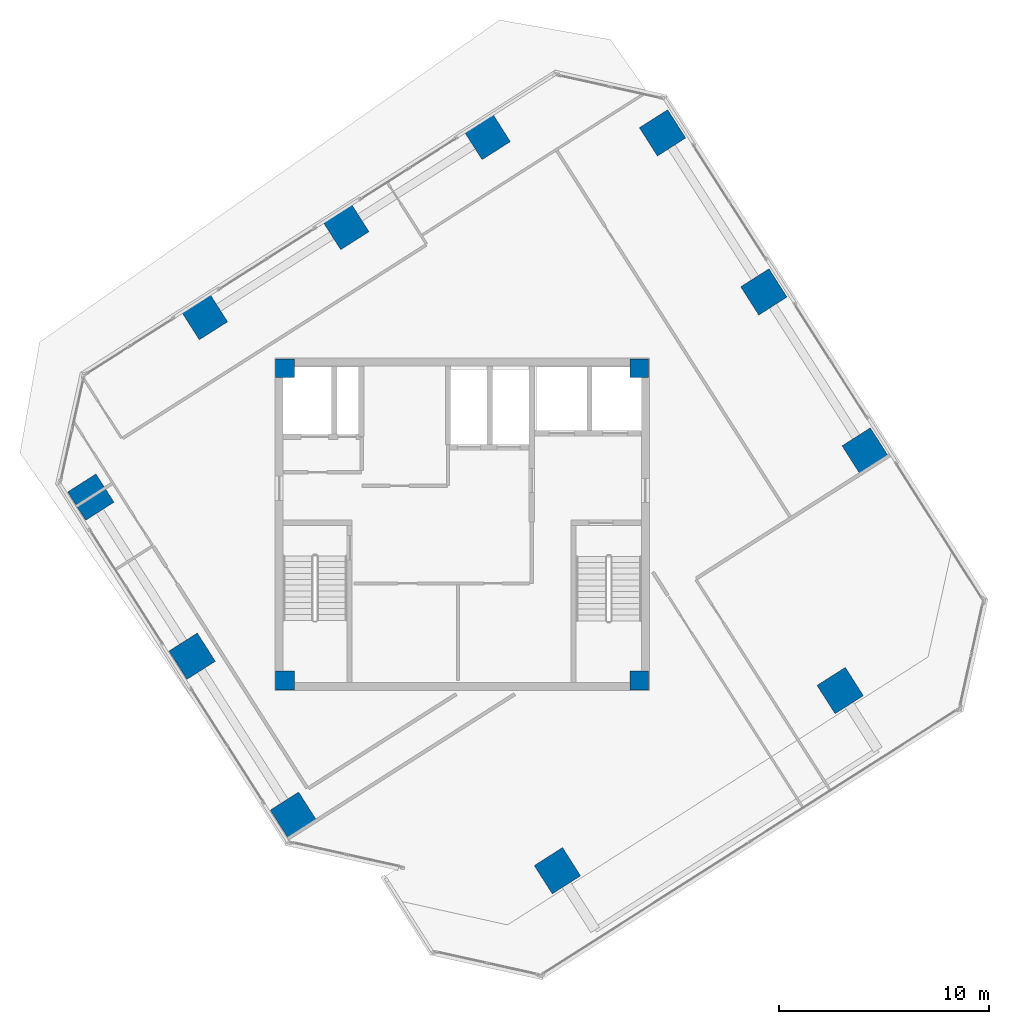
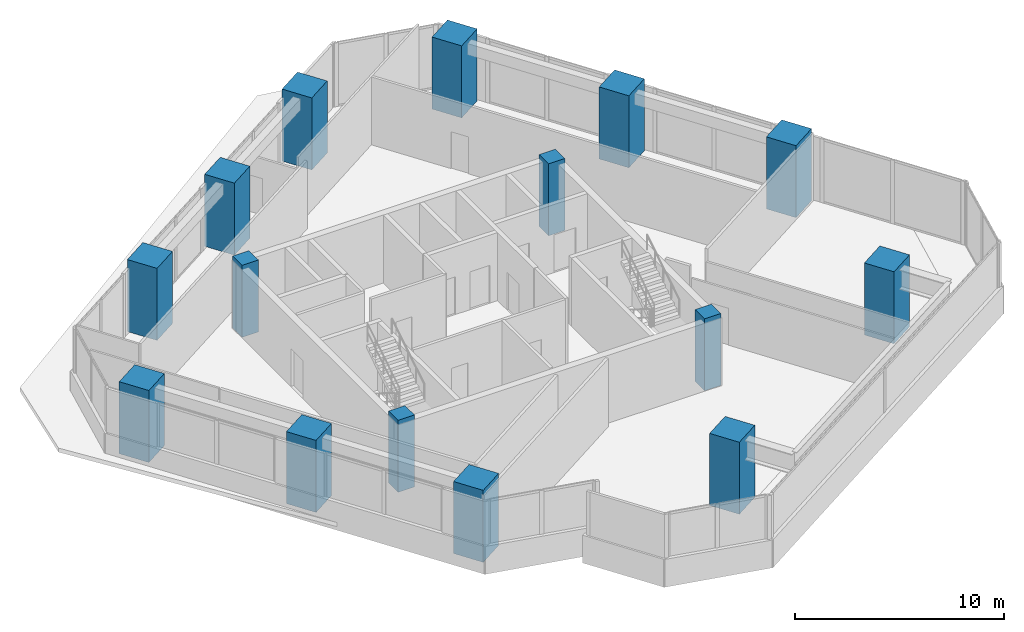
# One storey, part 1 of 15: 15 columns.
"""IFC4 building model written with IfcOpenShell, lengths in metres."""

from ifc_helpers import new_model, si_unit, direction, frame, origin, origin_2d, place, context, subcontext, project, spatial, rectangle, extrude, source, transform, mapped, material, material_profile, profile_set, type_object, element, save


model = new_model("IFC4")

# Units and contexts
model_context = context("Model", 3, precision=1e-05, world=origin(), true_north=direction((0.0, 1.0)))
body_context = subcontext(model_context, "Body", "Model", "MODEL_VIEW")
ifc_project = project(units=[si_unit("LENGTHUNIT", "METRE"), si_unit("AREAUNIT", "SQUARE_METRE"), si_unit("VOLUMEUNIT", "CUBIC_METRE"), si_unit("PLANEANGLEUNIT", "RADIAN"), si_unit("MASSUNIT", "GRAM", prefix="KILO")], contexts=[model_context])

# Site, building, storey
site_placement = place(None, origin())
site = spatial("IfcSite", under=ifc_project, at=site_placement, CompositionType="ELEMENT")
building_placement = place(site_placement, origin())
building = spatial("IfcBuilding", under=site, at=building_placement, Name="Torre Montelarca", CompositionType="ELEMENT")
storey_placement = place(building_placement, frame((0.0, 0.0, 307.199951171875)))
storey = spatial("IfcBuildingStorey", under=building, at=storey_placement, Name="L69", CompositionType="ELEMENT", Elevation=307.199951171875)

# Columns
ifc_material_1 = material(Name="Concrete C55/67", Category="concrete")
ifc_material_profile_1 = material_profile(ifc_material_1, rectangle(XDim=0.89990234375, YDim=0.89990234375, at=origin_2d()), Name="RC900X900", Category="concrete")
ifc_profile_set_1 = profile_set([ifc_material_profile_1], Name="Concrete C55/67")
column_type_1 = type_object("IfcColumnType", Name="COL-RC900", PredefinedType="COLUMN", material=ifc_profile_set_1)
shared_shape_1 = source(origin(), body_context, "Body", "SweptSolid", [
    extrude(rectangle(XDim=0.89990234375, YDim=0.89990234375, at=origin_2d()), origin(), (0.0, 0.0, 1.0), 4.198486328125),
])
for number, where, z_axis, x_axis, name in (
    (1, (9.550048828125, 24.550048828125, 0.000732421875), (0.0, 0.0, 1.0), (1.0, 0.0, 0.0), "L69 Plumb Core Corner Column 2D"),
    (2, (26.449951171875, 24.550048828125, 0.000732421875), (0.0, 0.0, 1.0), (1.0, 0.0, 0.0), "L69 Plumb Core Corner Column 4D"),
    (3, (9.550048828125, 39.449951171875, 0.000732421875), (0.0, 0.0, 1.0), (1.0, 0.0, 0.0), "L69 Plumb Core Corner Column 2F"),
    (4, (26.449951171875, 39.449951171875, 0.000732421875), (0.0, 0.0, 1.0), (1.0, 0.0, 0.0), "L69 Plumb Core Corner Column 4F"),
):
    element("IfcColumn", number, at=place(storey_placement, frame(where, z_axis=z_axis, x_axis=x_axis)), inside=storey, type_object=column_type_1, Name=name, PredefinedType="COLUMN", context=body_context, shape_type="MappedRepresentation", body=[
        mapped(shared_shape_1, transform((0.0, 0.0, 0.0), scale=1.0)),
    ])
ifc_material_2 = material(Name="Concrete C70/85", Category="concrete")
ifc_material_profile_2 = material_profile(ifc_material_2, rectangle(XDim=1.60009765625, YDim=1.60009765625, at=origin_2d()), Name="RC1600X1600", Category="concrete")
ifc_profile_set_2 = profile_set([ifc_material_profile_2], Name="Concrete C70/85")
column_type_2 = type_object("IfcColumnType", Name="COL-RC1600-EXT", PredefinedType="COLUMN", material=ifc_profile_set_2)
shared_shape_2 = source(origin(), body_context, "Body", "SweptSolid", [
    extrude(rectangle(XDim=1.60009765625, YDim=1.60009765625, at=origin_2d()), origin(), (0.0, 0.0, 1.0), 4.198486328125),
])
for number, where, z_axis, x_axis, name in (
    (5, (0.27734375, 33.30078125, 0.000732421875), (0.0, 0.0, 1.0), (-0.537299608347, 0.843391445813, 0.0), "L69 Perimeter Mega Column 2/CS"),
    (6, (27.56103515625, 50.6826171875, 0.000732421875), (0.0, 0.0, 1.0), (-0.537299608347, 0.843391445813, 0.0), "L69 Perimeter Mega Column 2/GN"),
    (7, (5.113037109375, 25.710205078125, 0.000732421875), (0.0, 0.0, 1.0), (-0.537299608347, 0.843391445813, 0.0), "L69 Perimeter Mega Column 3/CS"),
    (8, (32.396728515625, 43.092041015625, 0.000732421875), (0.0, 0.0, 1.0), (-0.537299608347, 0.843391445813, 0.0), "L69 Perimeter Mega Column 3/GN"),
    (9, (9.94873046875, 18.119873046875, 0.000732421875), (0.0, 0.0, 1.0), (-0.537299608347, 0.843391445813, 0.0), "L69 Perimeter Mega Column 4/CS"),
    (10, (37.232421875, 35.50146484375, 0.000732421875), (0.0, 0.0, 1.0), (-0.537299608347, 0.843391445813, 0.0), "L69 Perimeter Mega Column 4/GN"),
    (11, (22.543701171875, 15.472412109375, 0.000732421875), (0.0, 0.0, 1.0), (-0.537299608347, 0.843391445813, 0.0), "L69 Perimeter Mega Column 5/D"),
    (12, (36.0380859375, 24.069091796875, 0.000732421875), (0.0, 0.0, 1.0), (-0.537299608347, 0.843391445813, 0.0), "L69 Perimeter Mega Column 5/F"),
    (13, (5.699462890625, 41.91259765625, 0.000732421875), (0.0, 0.0, 1.0), (-0.537299608347, 0.843391445813, 0.0), "L69 Perimeter Mega Column 1W/D"),
    (14, (12.446533203125, 46.211181640625, 0.000732421875), (0.0, 0.0, 1.0), (-0.537299608347, 0.843391445813, 0.0), "L69 Perimeter Mega Column 1W/E"),
    (15, (19.193603515625, 50.509521484375, 0.000732421875), (0.0, 0.0, 1.0), (-0.537299608347, 0.843391445813, 0.0), "L69 Perimeter Mega Column 1W/F"),
):
    element("IfcColumn", number, at=place(storey_placement, frame(where, z_axis=z_axis, x_axis=x_axis)), inside=storey, type_object=column_type_2, Name=name, PredefinedType="COLUMN", context=body_context, shape_type="MappedRepresentation", body=[
        mapped(shared_shape_2, transform((0.0, 0.0, 0.0), scale=1.0)),
    ])

save(model, "model.ifc")
